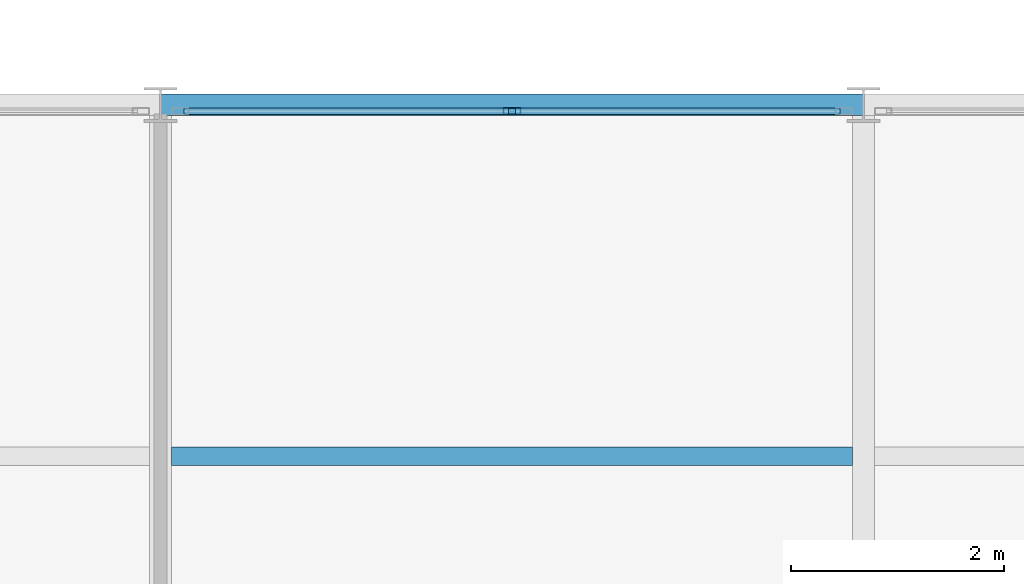
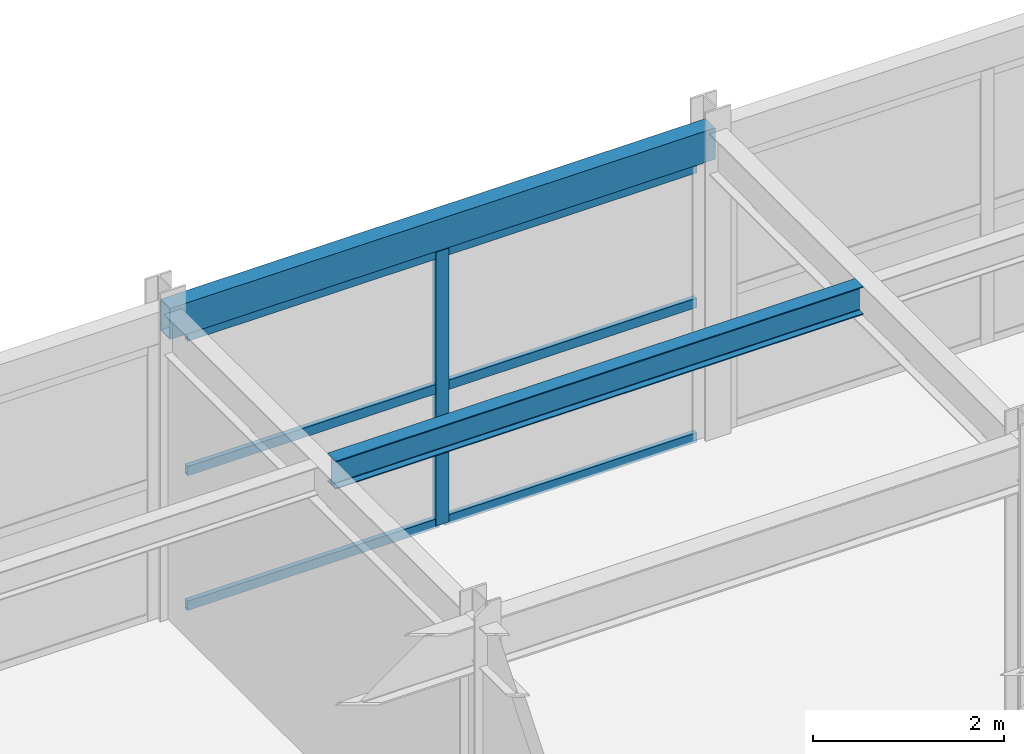
# One storey, part 47 of 106: 7 members, 2 beams, 1 element without a shape of its own.
"""IFC4 building model written with IfcOpenShell, lengths in metres."""

from ifc_helpers import new_model, si_unit, direction, frame, origin, origin_2d, place, context, subcontext, project, spatial, hollow_rectangle, i_section, extrude, material, material_profile, profile_set, type_object, element, aggregate, save


model = new_model("IFC4")

# Units and contexts
model_context = context("Model", 3, precision=1e-05, world=origin(), true_north=direction((0.0, 1.0)))
body_context = subcontext(model_context, "Body", "Model", "MODEL_VIEW")
ifc_project = project(units=[si_unit("LENGTHUNIT", "METRE"), si_unit("AREAUNIT", "SQUARE_METRE"), si_unit("VOLUMEUNIT", "CUBIC_METRE"), si_unit("PLANEANGLEUNIT", "RADIAN"), si_unit("MASSUNIT", "GRAM", prefix="KILO")], contexts=[model_context])

# Site, building, storey
site_placement = place(None, origin())
site = spatial("IfcSite", under=ifc_project, at=site_placement, CompositionType="ELEMENT")
building_placement = place(site_placement, origin())
building = spatial("IfcBuilding", under=site, at=building_placement, Name="Karori Crest Natural Sciences Institute", CompositionType="ELEMENT")
storey_placement = place(building_placement, frame((0.0, 0.0, 25.89990234375)))
storey = spatial("IfcBuildingStorey", under=building, at=storey_placement, Name="L06", CompositionType="ELEMENT", Elevation=25.89990234375)

# Beams
ifc_material_1 = material(Name="Structural steel AS/NZS 3679.1 Grade 350", Category="steel")
ifc_material_profile_1 = material_profile(ifc_material_1, i_section(OverallWidth=0.172119140625, OverallDepth=0.35888671875, WebThickness=0.008056640625, FlangeThickness=0.012939453125, FilletRadius=0.010986328125, at=origin_2d()), Name="360UB56.7")
ifc_profile_set_1 = profile_set([ifc_material_profile_1], Name="Structural steel AS/NZS 3679.1 Grade 350")
beam_type_1 = type_object("IfcBeamType", Name="BT-08", PredefinedType="BEAM", material=ifc_profile_set_1)
beam_1_placement = place(storey_placement, frame((130.1044921875, 17.300048828125, 3.740478515625), z_axis=(1.0, 0.0, 0.0), x_axis=(0.0, 1.0, 0.0)))
element("IfcBeam", 1, at=beam_1_placement, inside=storey, type_object=beam_type_1, Name="Beam B-2608", PredefinedType="BEAM", context=body_context, shape_type="SweptSolid", body=[
    extrude(i_section(OverallWidth=0.172119140625, OverallDepth=0.35888671875, WebThickness=0.008056640625, FlangeThickness=0.012939453125, FilletRadius=0.010986328125, at=origin_2d()), origin(), (0.0, 0.0, 1.0), 6.39111328125),
])
ifc_material_2 = material(Name="Hollow structural steel AS/NZS 1163 Grade C350", Category="steel")
ifc_material_profile_2 = material_profile(ifc_material_2, hollow_rectangle(XDim=0.199951171875, YDim=0.39990234375, WallThickness=0.012451171875, at=origin_2d()), Name="RHS400x200x12.5")
ifc_profile_set_2 = profile_set([ifc_material_profile_2], Name="Hollow structural steel AS/NZS 1163 Grade C350")
beam_type_2 = type_object("IfcBeamType", Name="BT-14", PredefinedType="SPANDREL", material=ifc_profile_set_2)
beam_2_placement = place(storey_placement, frame((130.0, 20.60009765625, 3.72021484375), z_axis=(1.0, 0.0, 0.0), x_axis=(0.0, 1.0, 0.0)))
element("IfcBeam", 2, at=beam_2_placement, inside=storey, type_object=beam_type_2, Name="Beam B-2567", PredefinedType="SPANDREL", context=body_context, shape_type="SweptSolid", body=[
    extrude(hollow_rectangle(XDim=0.199951171875, YDim=0.39990234375, WallThickness=0.012451171875, at=origin_2d()), origin(), (0.0, 0.0, 1.0), 6.60009765625),
])

# Curtain wall, members
ifc_material_3 = material(Name="Anodised architectural aluminium 6063-T6", Category="aluminium")
curtain_wall_type = type_object("IfcCurtainWallType", Name="CWT-20", PredefinedType="NOTDEFINED", material=ifc_material_3)
curtain_wall_placement = place(storey_placement, origin())
curtain_wall = element("IfcCurtainWall", 3, at=curtain_wall_placement, inside=storey, type_object=curtain_wall_type, Name="Curtain wall CW-0353", PredefinedType="NOTDEFINED")
ifc_material_profile_3 = material_profile(ifc_material_3, hollow_rectangle(XDim=0.06494140625, YDim=0.159912109375, WallThickness=0.00390625, at=origin_2d()), Name="CWM160x65x4")
ifc_profile_set_3 = profile_set([ifc_material_profile_3], Name="Anodised architectural aluminium 6063-T6")
member_type_1 = type_object("IfcMemberType", Name="CWM-01", PredefinedType="MULLION", material=ifc_profile_set_3)
member_1_placement = place(storey_placement, frame((133.300048828125, 20.5400390625, 0.0), z_axis=(0.0, 0.0, 1.0), x_axis=(0.0, 1.0, 0.0)))
member_1 = element("IfcMember", 4, at=member_1_placement, type_object=member_type_1, Name="CW-0353 mullion 2", PredefinedType="MULLION", context=body_context, shape_type="SweptSolid", body=[
    extrude(hollow_rectangle(XDim=0.06494140625, YDim=0.159912109375, WallThickness=0.00390625, at=origin_2d()), origin(), (0.0, 0.0, 1.0), 3.505126953125),
])
ifc_material_profile_4 = material_profile(ifc_material_3, hollow_rectangle(XDim=0.06005859375, YDim=0.1201171875, WallThickness=0.00390625, at=origin_2d()), Name="CWT120x60x4")
ifc_profile_set_4 = profile_set([ifc_material_profile_4], Name="Anodised architectural aluminium 6063-T6")
member_type_2 = type_object("IfcMemberType", Name="CWT-TR1", PredefinedType="USERDEFINED", material=ifc_profile_set_4)
member_2_placement = place(storey_placement, frame((130.218505859375, 20.5400390625, 0.030029296875), z_axis=(1.0, 0.0, 0.0), x_axis=(0.0, 1.0, 0.0)))
member_2 = element("IfcMember", 5, at=member_2_placement, type_object=member_type_2, Name="CW-0353 transom 1.1", ObjectType="TRANSOM", PredefinedType="USERDEFINED", context=body_context, shape_type="SweptSolid", body=[
    extrude(hollow_rectangle(XDim=0.06005859375, YDim=0.1201171875, WallThickness=0.00390625, at=origin_2d()), origin(), (0.0, 0.0, 1.0), 3.049072265625),
])
member_3_placement = place(storey_placement, frame((130.218505859375, 20.5400390625, 1.752685546875), z_axis=(1.0, 0.0, 0.0), x_axis=(0.0, 1.0, 0.0)))
member_3 = element("IfcMember", 6, at=member_3_placement, type_object=member_type_2, Name="CW-0353 transom 1.2", ObjectType="TRANSOM", PredefinedType="USERDEFINED", context=body_context, shape_type="SweptSolid", body=[
    extrude(hollow_rectangle(XDim=0.06005859375, YDim=0.1201171875, WallThickness=0.00390625, at=origin_2d()), origin(), (0.0, 0.0, 1.0), 3.049072265625),
])
member_4_placement = place(storey_placement, frame((130.218505859375, 20.5400390625, 3.47509765625), z_axis=(1.0, 0.0, 0.0), x_axis=(0.0, 1.0, 0.0)))
member_4 = element("IfcMember", 7, at=member_4_placement, type_object=member_type_2, Name="CW-0353 transom 1.3", ObjectType="TRANSOM", PredefinedType="USERDEFINED", context=body_context, shape_type="SweptSolid", body=[
    extrude(hollow_rectangle(XDim=0.06005859375, YDim=0.1201171875, WallThickness=0.00390625, at=origin_2d()), origin(), (0.0, 0.0, 1.0), 3.049072265625),
])
member_5_placement = place(storey_placement, frame((133.33251953125, 20.5400390625, 0.030029296875), z_axis=(1.0, 0.0, 0.0), x_axis=(0.0, 1.0, 0.0)))
member_5 = element("IfcMember", 8, at=member_5_placement, type_object=member_type_2, Name="CW-0353 transom 2.1", ObjectType="TRANSOM", PredefinedType="USERDEFINED", context=body_context, shape_type="SweptSolid", body=[
    extrude(hollow_rectangle(XDim=0.06005859375, YDim=0.1201171875, WallThickness=0.00390625, at=origin_2d()), origin(), (0.0, 0.0, 1.0), 3.049072265625),
])
member_6_placement = place(storey_placement, frame((133.33251953125, 20.5400390625, 1.752685546875), z_axis=(1.0, 0.0, 0.0), x_axis=(0.0, 1.0, 0.0)))
member_6 = element("IfcMember", 9, at=member_6_placement, type_object=member_type_2, Name="CW-0353 transom 2.2", ObjectType="TRANSOM", PredefinedType="USERDEFINED", context=body_context, shape_type="SweptSolid", body=[
    extrude(hollow_rectangle(XDim=0.06005859375, YDim=0.1201171875, WallThickness=0.00390625, at=origin_2d()), origin(), (0.0, 0.0, 1.0), 3.049072265625),
])
member_7_placement = place(storey_placement, frame((133.33251953125, 20.5400390625, 3.47509765625), z_axis=(1.0, 0.0, 0.0), x_axis=(0.0, 1.0, 0.0)))
member_7 = element("IfcMember", 10, at=member_7_placement, type_object=member_type_2, Name="CW-0353 transom 2.3", ObjectType="TRANSOM", PredefinedType="USERDEFINED", context=body_context, shape_type="SweptSolid", body=[
    extrude(hollow_rectangle(XDim=0.06005859375, YDim=0.1201171875, WallThickness=0.00390625, at=origin_2d()), origin(), (0.0, 0.0, 1.0), 3.049072265625),
])
aggregate(curtain_wall, [member_1, member_2, member_3, member_4, member_5, member_6, member_7])

save(model, "model.ifc")
